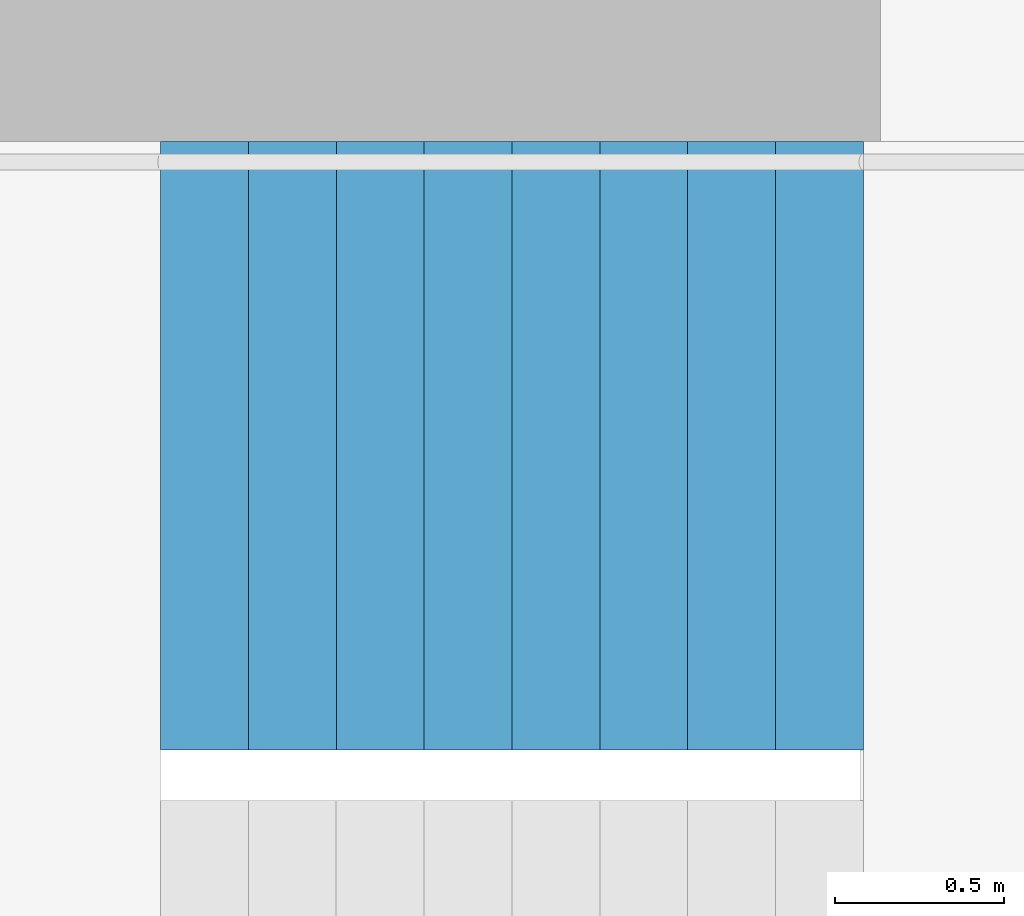
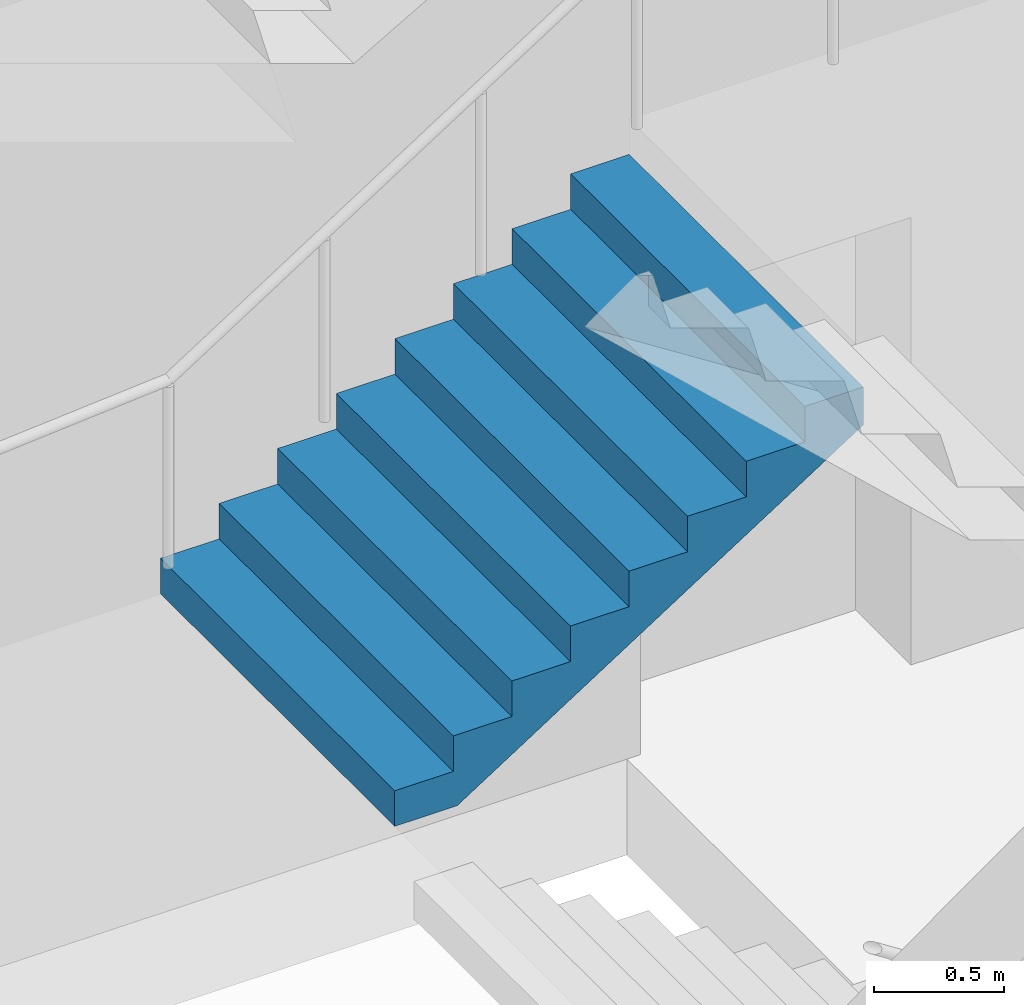
# One storey, part 32 of 35: 1 stair flight, 1 element without a shape of its own.
"""IFC4 building model written with IfcOpenShell, lengths in metres."""

from ifc_helpers import new_model, si_unit, direction, frame, origin, place, context, subcontext, project, spatial, triangles, material, type_object, element, aggregate, save


model = new_model("IFC4")

# Units and contexts
model_context = context("Model", 3, precision=1e-05, world=origin(), true_north=direction((0.0, 1.0)))
body_context = subcontext(model_context, "Body", "Model", "MODEL_VIEW")
ifc_project = project(units=[si_unit("LENGTHUNIT", "METRE"), si_unit("AREAUNIT", "SQUARE_METRE"), si_unit("VOLUMEUNIT", "CUBIC_METRE"), si_unit("PLANEANGLEUNIT", "RADIAN"), si_unit("MASSUNIT", "GRAM", prefix="KILO")], contexts=[model_context])

# Site, building, storey
site_placement = place(None, origin())
site = spatial("IfcSite", under=ifc_project, at=site_placement, CompositionType="ELEMENT")
building_placement = place(site_placement, origin())
building = spatial("IfcBuilding", under=site, at=building_placement, Name="Hakoniwa Tower and Hamabe Station Hall", CompositionType="ELEMENT")
storey_placement = place(building_placement, frame((0.0, 0.0, 270.60009765625)))
storey = spatial("IfcBuildingStorey", under=building, at=storey_placement, Name="L76", CompositionType="ELEMENT", Elevation=270.60009765625)

# Stair, stair flight
ifc_material_1 = material(Name="Concrete C40", Category="concrete")
stair_type = type_object("IfcStairType", Name="ESCAPE STAIR 1800", PredefinedType="HALF_TURN_STAIR", material=ifc_material_1)
stair_placement = place(storey_placement, origin())
stair = element("IfcStair", 1, at=stair_placement, inside=storey, type_object=stair_type, Name="Escape stair ST-3 L76", PredefinedType="HALF_TURN_STAIR")
ifc_material_2 = material(Name="Concrete C40", Category="concrete")
stair_flight_type = type_object("IfcStairFlightType", Name="STAIR FLIGHT 1800", PredefinedType="STRAIGHT", material=ifc_material_2)
stair_flight_placement = place(storey_placement, frame((22.320068359375, 6.60009765625, 1.5), z_axis=(0.0, 0.0, 1.0), x_axis=(1.0, 0.0, 0.0)))
stair_flight = element("IfcStairFlight", 2, at=stair_flight_placement, type_object=stair_flight_type, Name="ST-3 flight 2", NumberOfRisers=9, NumberOfTreads=8, PredefinedType="STRAIGHT", RiserHeight=0.166666667, TreadLength=0.26, context=body_context, shape_type="Tessellation", body=[
    triangles([(0.0, 0.89990234375, 0.0), (0.260009765625, 0.89990234375, 0.0), (0.27783203125, 0.89990234375, 0.0), (0.52001953125, 0.89990234375, 0.1552734375), (0.780029296875, 0.89990234375, 0.322021484375), (1.0400390625, 0.89990234375, 0.488525390625), (1.300048828125, 0.89990234375, 0.6552734375), (1.56005859375, 0.89990234375, 0.822021484375), (1.820068359375, 0.89990234375, 0.988525390625), (2.080078125, 0.89990234375, 1.1552734375), (2.080078125, 0.89990234375, 1.333251953125), (1.820068359375, 0.89990234375, 1.333251953125), (1.820068359375, 0.89990234375, 1.166748046875), (1.56005859375, 0.89990234375, 1.166748046875), (1.56005859375, 0.89990234375, 1.0), (1.300048828125, 0.89990234375, 1.0), (1.300048828125, 0.89990234375, 0.833251953125), (1.0400390625, 0.89990234375, 0.833251953125), (1.0400390625, 0.89990234375, 0.666748046875), (0.780029296875, 0.89990234375, 0.666748046875), (0.780029296875, 0.89990234375, 0.5), (0.52001953125, 0.89990234375, 0.5), (0.52001953125, 0.89990234375, 0.333251953125), (0.27783203125, 0.89990234375, 0.333251953125), (0.260009765625, 0.89990234375, 0.333251953125), (0.260009765625, 0.89990234375, 0.166748046875), (0.0, 0.89990234375, 0.166748046875), (0.0, 0.06005859375, 0.0), (0.260009765625, 0.06005859375, 0.0), (0.27783203125, 0.06005859375, 0.0), (0.52001953125, 0.06005859375, 0.1552734375), (0.780029296875, 0.06005859375, 0.322021484375), (1.0400390625, 0.06005859375, 0.488525390625), (1.300048828125, 0.06005859375, 0.6552734375), (1.56005859375, 0.06005859375, 0.822021484375), (1.820068359375, 0.06005859375, 0.988525390625), (2.080078125, 0.06005859375, 1.1552734375), (2.080078125, 0.06005859375, 1.333251953125), (1.820068359375, 0.06005859375, 1.333251953125), (1.820068359375, 0.06005859375, 1.166748046875), (1.56005859375, 0.06005859375, 1.166748046875), (1.56005859375, 0.06005859375, 1.0), (1.300048828125, 0.06005859375, 1.0), (1.300048828125, 0.06005859375, 0.833251953125), (1.0400390625, 0.06005859375, 0.833251953125), (1.0400390625, 0.06005859375, 0.666748046875), (0.780029296875, 0.06005859375, 0.666748046875), (0.780029296875, 0.06005859375, 0.5), (0.52001953125, 0.06005859375, 0.5), (0.52001953125, 0.06005859375, 0.333251953125), (0.27783203125, 0.06005859375, 0.333251953125), (0.260009765625, 0.06005859375, 0.333251953125), (0.260009765625, 0.06005859375, 0.166748046875), (0.0, 0.06005859375, 0.166748046875), (0.0, 0.04296875, 0.0), (0.260009765625, 0.04296875, 0.0), (0.27783203125, 0.04296875, 0.0), (0.52001953125, 0.04296875, 0.1552734375), (0.780029296875, 0.04296875, 0.322021484375), (1.0400390625, 0.04296875, 0.488525390625), (1.300048828125, 0.04296875, 0.6552734375), (1.56005859375, 0.04296875, 0.822021484375), (1.820068359375, 0.04296875, 0.988525390625), (2.080078125, 0.04296875, 1.1552734375), (2.080078125, 0.04296875, 1.333251953125), (1.820068359375, 0.04296875, 1.333251953125), (1.820068359375, 0.04296875, 1.166748046875), (1.56005859375, 0.04296875, 1.166748046875), (1.56005859375, 0.04296875, 1.0), (1.300048828125, 0.04296875, 1.0), (1.300048828125, 0.04296875, 0.833251953125), (1.0400390625, 0.04296875, 0.833251953125), (1.0400390625, 0.04296875, 0.666748046875), (0.780029296875, 0.04296875, 0.666748046875), (0.780029296875, 0.04296875, 0.5), (0.52001953125, 0.04296875, 0.5), (0.52001953125, 0.04296875, 0.333251953125), (0.27783203125, 0.04296875, 0.333251953125), (0.260009765625, 0.04296875, 0.333251953125), (0.260009765625, 0.04296875, 0.166748046875), (0.0, 0.04296875, 0.166748046875), (0.0, 0.025634765625, 0.0), (0.260009765625, 0.025634765625, 0.0), (0.27783203125, 0.025634765625, 0.0), (0.52001953125, 0.025634765625, 0.1552734375), (0.780029296875, 0.025634765625, 0.322021484375), (1.0400390625, 0.025634765625, 0.488525390625), (1.300048828125, 0.025634765625, 0.6552734375), (1.56005859375, 0.025634765625, 0.822021484375), (1.820068359375, 0.025634765625, 0.988525390625), (2.080078125, 0.025634765625, 1.1552734375), (2.080078125, 0.025634765625, 1.333251953125), (1.820068359375, 0.025634765625, 1.333251953125), (1.820068359375, 0.025634765625, 1.166748046875), (1.56005859375, 0.025634765625, 1.166748046875), (1.56005859375, 0.025634765625, 1.0), (1.300048828125, 0.025634765625, 1.0), (1.300048828125, 0.025634765625, 0.833251953125), (1.0400390625, 0.025634765625, 0.833251953125), (1.0400390625, 0.025634765625, 0.666748046875), (0.780029296875, 0.025634765625, 0.666748046875), (0.780029296875, 0.025634765625, 0.5), (0.52001953125, 0.025634765625, 0.5), (0.52001953125, 0.025634765625, 0.333251953125), (0.27783203125, 0.025634765625, 0.333251953125), (0.260009765625, 0.025634765625, 0.333251953125), (0.260009765625, 0.025634765625, 0.166748046875), (0.0, 0.025634765625, 0.166748046875), (0.0, 0.008544921875, 0.0), (0.260009765625, 0.008544921875, 0.0), (0.27783203125, 0.008544921875, 0.0), (0.52001953125, 0.008544921875, 0.1552734375), (0.780029296875, 0.008544921875, 0.322021484375), (1.0400390625, 0.008544921875, 0.488525390625), (1.300048828125, 0.008544921875, 0.6552734375), (1.56005859375, 0.008544921875, 0.822021484375), (1.820068359375, 0.008544921875, 0.988525390625), (2.080078125, 0.008544921875, 1.1552734375), (2.080078125, 0.008544921875, 1.333251953125), (1.820068359375, 0.008544921875, 1.333251953125), (1.820068359375, 0.008544921875, 1.166748046875), (1.56005859375, 0.008544921875, 1.166748046875), (1.56005859375, 0.008544921875, 1.0), (1.300048828125, 0.008544921875, 1.0), (1.300048828125, 0.008544921875, 0.833251953125), (1.0400390625, 0.008544921875, 0.833251953125), (1.0400390625, 0.008544921875, 0.666748046875), (0.780029296875, 0.008544921875, 0.666748046875), (0.780029296875, 0.008544921875, 0.5), (0.52001953125, 0.008544921875, 0.5), (0.52001953125, 0.008544921875, 0.333251953125), (0.27783203125, 0.008544921875, 0.333251953125), (0.260009765625, 0.008544921875, 0.333251953125), (0.260009765625, 0.008544921875, 0.166748046875), (0.0, 0.008544921875, 0.166748046875), (0.0, -0.008544921875, 0.0), (0.260009765625, -0.008544921875, 0.0), (0.27783203125, -0.008544921875, 0.0), (0.52001953125, -0.008544921875, 0.1552734375), (0.780029296875, -0.008544921875, 0.322021484375), (1.0400390625, -0.008544921875, 0.488525390625), (1.300048828125, -0.008544921875, 0.6552734375), (1.56005859375, -0.008544921875, 0.822021484375), (1.820068359375, -0.008544921875, 0.988525390625), (2.080078125, -0.008544921875, 1.1552734375), (2.080078125, -0.008544921875, 1.333251953125), (1.820068359375, -0.008544921875, 1.333251953125), (1.820068359375, -0.008544921875, 1.166748046875), (1.56005859375, -0.008544921875, 1.166748046875), (1.56005859375, -0.008544921875, 1.0), (1.300048828125, -0.008544921875, 1.0), (1.300048828125, -0.008544921875, 0.833251953125), (1.0400390625, -0.008544921875, 0.833251953125), (1.0400390625, -0.008544921875, 0.666748046875), (0.780029296875, -0.008544921875, 0.666748046875), (0.780029296875, -0.008544921875, 0.5), (0.52001953125, -0.008544921875, 0.5), (0.52001953125, -0.008544921875, 0.333251953125), (0.27783203125, -0.008544921875, 0.333251953125), (0.260009765625, -0.008544921875, 0.333251953125), (0.260009765625, -0.008544921875, 0.166748046875), (0.0, -0.008544921875, 0.166748046875), (0.0, -0.025634765625, 0.0), (0.260009765625, -0.025634765625, 0.0), (0.27783203125, -0.025634765625, 0.0), (0.52001953125, -0.025634765625, 0.1552734375), (0.780029296875, -0.025634765625, 0.322021484375), (1.0400390625, -0.025634765625, 0.488525390625), (1.300048828125, -0.025634765625, 0.6552734375), (1.56005859375, -0.025634765625, 0.822021484375), (1.820068359375, -0.025634765625, 0.988525390625), (2.080078125, -0.025634765625, 1.1552734375), (2.080078125, -0.025634765625, 1.333251953125), (1.820068359375, -0.025634765625, 1.333251953125), (1.820068359375, -0.025634765625, 1.166748046875), (1.56005859375, -0.025634765625, 1.166748046875), (1.56005859375, -0.025634765625, 1.0), (1.300048828125, -0.025634765625, 1.0), (1.300048828125, -0.025634765625, 0.833251953125), (1.0400390625, -0.025634765625, 0.833251953125), (1.0400390625, -0.025634765625, 0.666748046875), (0.780029296875, -0.025634765625, 0.666748046875), (0.780029296875, -0.025634765625, 0.5), (0.52001953125, -0.025634765625, 0.5), (0.52001953125, -0.025634765625, 0.333251953125), (0.27783203125, -0.025634765625, 0.333251953125), (0.260009765625, -0.025634765625, 0.333251953125), (0.260009765625, -0.025634765625, 0.166748046875), (0.0, -0.025634765625, 0.166748046875), (0.0, -0.04296875, 0.0), (0.260009765625, -0.04296875, 0.0), (0.27783203125, -0.04296875, 0.0), (0.52001953125, -0.04296875, 0.1552734375), (0.780029296875, -0.04296875, 0.322021484375), (1.0400390625, -0.04296875, 0.488525390625), (1.300048828125, -0.04296875, 0.6552734375), (1.56005859375, -0.04296875, 0.822021484375), (1.820068359375, -0.04296875, 0.988525390625), (2.080078125, -0.04296875, 1.1552734375), (2.080078125, -0.04296875, 1.333251953125), (1.820068359375, -0.04296875, 1.333251953125), (1.820068359375, -0.04296875, 1.166748046875), (1.56005859375, -0.04296875, 1.166748046875), (1.56005859375, -0.04296875, 1.0), (1.300048828125, -0.04296875, 1.0), (1.300048828125, -0.04296875, 0.833251953125), (1.0400390625, -0.04296875, 0.833251953125), (1.0400390625, -0.04296875, 0.666748046875), (0.780029296875, -0.04296875, 0.666748046875), (0.780029296875, -0.04296875, 0.5), (0.52001953125, -0.04296875, 0.5), (0.52001953125, -0.04296875, 0.333251953125), (0.27783203125, -0.04296875, 0.333251953125), (0.260009765625, -0.04296875, 0.333251953125), (0.260009765625, -0.04296875, 0.166748046875), (0.0, -0.04296875, 0.166748046875), (0.0, -0.06005859375, 0.0), (0.260009765625, -0.06005859375, 0.0), (0.27783203125, -0.06005859375, 0.0), (0.52001953125, -0.06005859375, 0.1552734375), (0.780029296875, -0.06005859375, 0.322021484375), (1.0400390625, -0.06005859375, 0.488525390625), (1.300048828125, -0.06005859375, 0.6552734375), (1.56005859375, -0.06005859375, 0.822021484375), (1.820068359375, -0.06005859375, 0.988525390625), (2.080078125, -0.06005859375, 1.1552734375), (2.080078125, -0.06005859375, 1.333251953125), (1.820068359375, -0.06005859375, 1.333251953125), (1.820068359375, -0.06005859375, 1.166748046875), (1.56005859375, -0.06005859375, 1.166748046875), (1.56005859375, -0.06005859375, 1.0), (1.300048828125, -0.06005859375, 1.0), (1.300048828125, -0.06005859375, 0.833251953125), (1.0400390625, -0.06005859375, 0.833251953125), (1.0400390625, -0.06005859375, 0.666748046875), (0.780029296875, -0.06005859375, 0.666748046875), (0.780029296875, -0.06005859375, 0.5), (0.52001953125, -0.06005859375, 0.5), (0.52001953125, -0.06005859375, 0.333251953125), (0.27783203125, -0.06005859375, 0.333251953125), (0.260009765625, -0.06005859375, 0.333251953125), (0.260009765625, -0.06005859375, 0.166748046875), (0.0, -0.06005859375, 0.166748046875), (0.0, -0.89990234375, 0.0), (0.260009765625, -0.89990234375, 0.0), (0.27783203125, -0.89990234375, 0.0), (0.52001953125, -0.89990234375, 0.1552734375), (0.780029296875, -0.89990234375, 0.322021484375), (1.0400390625, -0.89990234375, 0.488525390625), (1.300048828125, -0.89990234375, 0.6552734375), (1.56005859375, -0.89990234375, 0.822021484375), (1.820068359375, -0.89990234375, 0.988525390625), (2.080078125, -0.89990234375, 1.1552734375), (2.080078125, -0.89990234375, 1.333251953125), (1.820068359375, -0.89990234375, 1.333251953125), (1.820068359375, -0.89990234375, 1.166748046875), (1.56005859375, -0.89990234375, 1.166748046875), (1.56005859375, -0.89990234375, 1.0), (1.300048828125, -0.89990234375, 1.0), (1.300048828125, -0.89990234375, 0.833251953125), (1.0400390625, -0.89990234375, 0.833251953125), (1.0400390625, -0.89990234375, 0.666748046875), (0.780029296875, -0.89990234375, 0.666748046875), (0.780029296875, -0.89990234375, 0.5), (0.52001953125, -0.89990234375, 0.5), (0.52001953125, -0.89990234375, 0.333251953125), (0.27783203125, -0.89990234375, 0.333251953125), (0.260009765625, -0.89990234375, 0.333251953125), (0.260009765625, -0.89990234375, 0.166748046875), (0.0, -0.89990234375, 0.166748046875)], [[2, 27, 26], [245, 269, 270], [2, 1, 27], [245, 270, 244], [3, 25, 24], [246, 267, 268], [3, 26, 25], [246, 268, 269], [3, 2, 26], [246, 269, 245], [4, 24, 23], [247, 266, 267], [4, 3, 24], [247, 267, 246], [5, 22, 21], [248, 264, 265], [5, 23, 22], [248, 265, 266], [5, 4, 23], [248, 266, 247], [6, 20, 19], [249, 262, 263], [6, 21, 20], [249, 263, 264], [6, 5, 21], [249, 264, 248], [7, 18, 17], [250, 260, 261], [7, 19, 18], [250, 261, 262], [7, 6, 19], [250, 262, 249], [8, 16, 15], [251, 258, 259], [8, 17, 16], [251, 259, 260], [8, 7, 17], [251, 260, 250], [9, 14, 13], [252, 256, 257], [9, 15, 14], [252, 257, 258], [9, 8, 15], [252, 258, 251], [10, 12, 11], [253, 254, 255], [10, 13, 12], [253, 255, 256], [10, 9, 13], [253, 256, 252], [1, 2, 29], [1, 29, 28], [28, 29, 56], [28, 56, 55], [55, 56, 83], [55, 83, 82], [82, 83, 110], [82, 110, 109], [109, 110, 137], [109, 137, 136], [136, 137, 164], [136, 164, 163], [163, 164, 191], [163, 191, 190], [190, 191, 218], [190, 218, 217], [217, 218, 245], [217, 245, 244], [2, 3, 30], [2, 30, 29], [29, 30, 57], [29, 57, 56], [56, 57, 84], [56, 84, 83], [83, 84, 111], [83, 111, 110], [110, 111, 138], [110, 138, 137], [137, 138, 165], [137, 165, 164], [164, 165, 192], [164, 192, 191], [191, 192, 219], [191, 219, 218], [218, 219, 246], [218, 246, 245], [3, 4, 31], [3, 31, 30], [30, 31, 58], [30, 58, 57], [57, 58, 85], [57, 85, 84], [84, 85, 112], [84, 112, 111], [111, 112, 139], [111, 139, 138], [138, 139, 166], [138, 166, 165], [165, 166, 193], [165, 193, 192], [192, 193, 220], [192, 220, 219], [219, 220, 247], [219, 247, 246], [4, 5, 32], [4, 32, 31], [31, 32, 59], [31, 59, 58], [58, 59, 86], [58, 86, 85], [85, 86, 113], [85, 113, 112], [112, 113, 140], [112, 140, 139], [139, 140, 167], [139, 167, 166], [166, 167, 194], [166, 194, 193], [193, 194, 221], [193, 221, 220], [220, 221, 248], [220, 248, 247], [5, 6, 33], [5, 33, 32], [32, 33, 60], [32, 60, 59], [59, 60, 87], [59, 87, 86], [86, 87, 114], [86, 114, 113], [113, 114, 141], [113, 141, 140], [140, 141, 168], [140, 168, 167], [167, 168, 195], [167, 195, 194], [194, 195, 222], [194, 222, 221], [221, 222, 249], [221, 249, 248], [6, 7, 34], [6, 34, 33], [33, 34, 61], [33, 61, 60], [60, 61, 88], [60, 88, 87], [87, 88, 115], [87, 115, 114], [114, 115, 142], [114, 142, 141], [141, 142, 169], [141, 169, 168], [168, 169, 196], [168, 196, 195], [195, 196, 223], [195, 223, 222], [222, 223, 250], [222, 250, 249], [7, 8, 35], [7, 35, 34], [34, 35, 62], [34, 62, 61], [61, 62, 89], [61, 89, 88], [88, 89, 116], [88, 116, 115], [115, 116, 143], [115, 143, 142], [142, 143, 170], [142, 170, 169], [169, 170, 197], [169, 197, 196], [196, 197, 224], [196, 224, 223], [223, 224, 251], [223, 251, 250], [8, 9, 36], [8, 36, 35], [35, 36, 63], [35, 63, 62], [62, 63, 90], [62, 90, 89], [89, 90, 117], [89, 117, 116], [116, 117, 144], [116, 144, 143], [143, 144, 171], [143, 171, 170], [170, 171, 198], [170, 198, 197], [197, 198, 225], [197, 225, 224], [224, 225, 252], [224, 252, 251], [9, 10, 37], [9, 37, 36], [36, 37, 64], [36, 64, 63], [63, 64, 91], [63, 91, 90], [90, 91, 118], [90, 118, 117], [117, 118, 145], [117, 145, 144], [144, 145, 172], [144, 172, 171], [171, 172, 199], [171, 199, 198], [198, 199, 226], [198, 226, 225], [225, 226, 253], [225, 253, 252], [10, 11, 38], [10, 38, 37], [37, 38, 65], [37, 65, 64], [64, 65, 92], [64, 92, 91], [91, 92, 119], [91, 119, 118], [118, 119, 146], [118, 146, 145], [145, 146, 173], [145, 173, 172], [172, 173, 200], [172, 200, 199], [199, 200, 227], [199, 227, 226], [226, 227, 254], [226, 254, 253], [11, 12, 39], [11, 39, 38], [38, 39, 66], [38, 66, 65], [65, 66, 93], [65, 93, 92], [92, 93, 120], [92, 120, 119], [119, 120, 147], [119, 147, 146], [146, 147, 174], [146, 174, 173], [173, 174, 201], [173, 201, 200], [200, 201, 228], [200, 228, 227], [227, 228, 255], [227, 255, 254], [12, 13, 40], [12, 40, 39], [39, 40, 67], [39, 67, 66], [66, 67, 94], [66, 94, 93], [93, 94, 121], [93, 121, 120], [120, 121, 148], [120, 148, 147], [147, 148, 175], [147, 175, 174], [174, 175, 202], [174, 202, 201], [201, 202, 229], [201, 229, 228], [228, 229, 256], [228, 256, 255], [13, 14, 41], [13, 41, 40], [40, 41, 68], [40, 68, 67], [67, 68, 95], [67, 95, 94], [94, 95, 122], [94, 122, 121], [121, 122, 149], [121, 149, 148], [148, 149, 176], [148, 176, 175], [175, 176, 203], [175, 203, 202], [202, 203, 230], [202, 230, 229], [229, 230, 257], [229, 257, 256], [14, 15, 42], [14, 42, 41], [41, 42, 69], [41, 69, 68], [68, 69, 96], [68, 96, 95], [95, 96, 123], [95, 123, 122], [122, 123, 150], [122, 150, 149], [149, 150, 177], [149, 177, 176], [176, 177, 204], [176, 204, 203], [203, 204, 231], [203, 231, 230], [230, 231, 258], [230, 258, 257], [15, 16, 43], [15, 43, 42], [42, 43, 70], [42, 70, 69], [69, 70, 97], [69, 97, 96], [96, 97, 124], [96, 124, 123], [123, 124, 151], [123, 151, 150], [150, 151, 178], [150, 178, 177], [177, 178, 205], [177, 205, 204], [204, 205, 232], [204, 232, 231], [231, 232, 259], [231, 259, 258], [16, 17, 44], [16, 44, 43], [43, 44, 71], [43, 71, 70], [70, 71, 98], [70, 98, 97], [97, 98, 125], [97, 125, 124], [124, 125, 152], [124, 152, 151], [151, 152, 179], [151, 179, 178], [178, 179, 206], [178, 206, 205], [205, 206, 233], [205, 233, 232], [232, 233, 260], [232, 260, 259], [17, 18, 45], [17, 45, 44], [44, 45, 72], [44, 72, 71], [71, 72, 99], [71, 99, 98], [98, 99, 126], [98, 126, 125], [125, 126, 153], [125, 153, 152], [152, 153, 180], [152, 180, 179], [179, 180, 207], [179, 207, 206], [206, 207, 234], [206, 234, 233], [233, 234, 261], [233, 261, 260], [18, 19, 46], [18, 46, 45], [45, 46, 73], [45, 73, 72], [72, 73, 100], [72, 100, 99], [99, 100, 127], [99, 127, 126], [126, 127, 154], [126, 154, 153], [153, 154, 181], [153, 181, 180], [180, 181, 208], [180, 208, 207], [207, 208, 235], [207, 235, 234], [234, 235, 262], [234, 262, 261], [19, 20, 47], [19, 47, 46], [46, 47, 74], [46, 74, 73], [73, 74, 101], [73, 101, 100], [100, 101, 128], [100, 128, 127], [127, 128, 155], [127, 155, 154], [154, 155, 182], [154, 182, 181], [181, 182, 209], [181, 209, 208], [208, 209, 236], [208, 236, 235], [235, 236, 263], [235, 263, 262], [20, 21, 48], [20, 48, 47], [47, 48, 75], [47, 75, 74], [74, 75, 102], [74, 102, 101], [101, 102, 129], [101, 129, 128], [128, 129, 156], [128, 156, 155], [155, 156, 183], [155, 183, 182], [182, 183, 210], [182, 210, 209], [209, 210, 237], [209, 237, 236], [236, 237, 264], [236, 264, 263], [21, 22, 49], [21, 49, 48], [48, 49, 76], [48, 76, 75], [75, 76, 103], [75, 103, 102], [102, 103, 130], [102, 130, 129], [129, 130, 157], [129, 157, 156], [156, 157, 184], [156, 184, 183], [183, 184, 211], [183, 211, 210], [210, 211, 238], [210, 238, 237], [237, 238, 265], [237, 265, 264], [22, 23, 50], [22, 50, 49], [49, 50, 77], [49, 77, 76], [76, 77, 104], [76, 104, 103], [103, 104, 131], [103, 131, 130], [130, 131, 158], [130, 158, 157], [157, 158, 185], [157, 185, 184], [184, 185, 212], [184, 212, 211], [211, 212, 239], [211, 239, 238], [238, 239, 266], [238, 266, 265], [23, 24, 51], [23, 51, 50], [50, 51, 78], [50, 78, 77], [77, 78, 105], [77, 105, 104], [104, 105, 132], [104, 132, 131], [131, 132, 159], [131, 159, 158], [158, 159, 186], [158, 186, 185], [185, 186, 213], [185, 213, 212], [212, 213, 240], [212, 240, 239], [239, 240, 267], [239, 267, 266], [24, 25, 52], [24, 52, 51], [51, 52, 79], [51, 79, 78], [78, 79, 106], [78, 106, 105], [105, 106, 133], [105, 133, 132], [132, 133, 160], [132, 160, 159], [159, 160, 187], [159, 187, 186], [186, 187, 214], [186, 214, 213], [213, 214, 241], [213, 241, 240], [240, 241, 268], [240, 268, 267], [25, 26, 53], [25, 53, 52], [52, 53, 80], [52, 80, 79], [79, 80, 107], [79, 107, 106], [106, 107, 134], [106, 134, 133], [133, 134, 161], [133, 161, 160], [160, 161, 188], [160, 188, 187], [187, 188, 215], [187, 215, 214], [214, 215, 242], [214, 242, 241], [241, 242, 269], [241, 269, 268], [26, 27, 54], [26, 54, 53], [53, 54, 81], [53, 81, 80], [80, 81, 108], [80, 108, 107], [107, 108, 135], [107, 135, 134], [134, 135, 162], [134, 162, 161], [161, 162, 189], [161, 189, 188], [188, 189, 216], [188, 216, 215], [215, 216, 243], [215, 243, 242], [242, 243, 270], [242, 270, 269], [27, 1, 28], [27, 28, 54], [54, 28, 55], [54, 55, 81], [81, 55, 82], [81, 82, 108], [108, 82, 109], [108, 109, 135], [135, 109, 136], [135, 136, 162], [162, 136, 163], [162, 163, 189], [189, 163, 190], [189, 190, 216], [216, 190, 217], [216, 217, 243], [243, 217, 244], [243, 244, 270]], closed=True),
])
aggregate(stair, [stair_flight])

save(model, "model.ifc")
